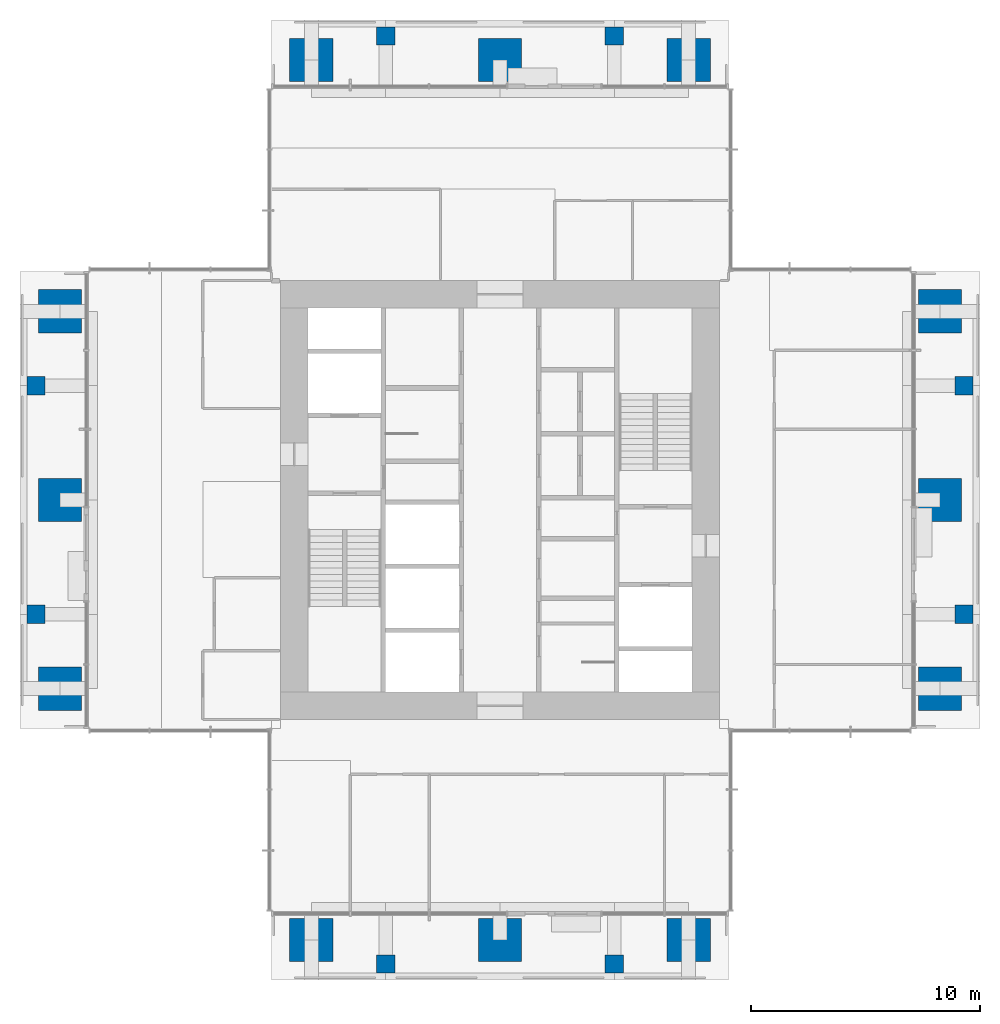
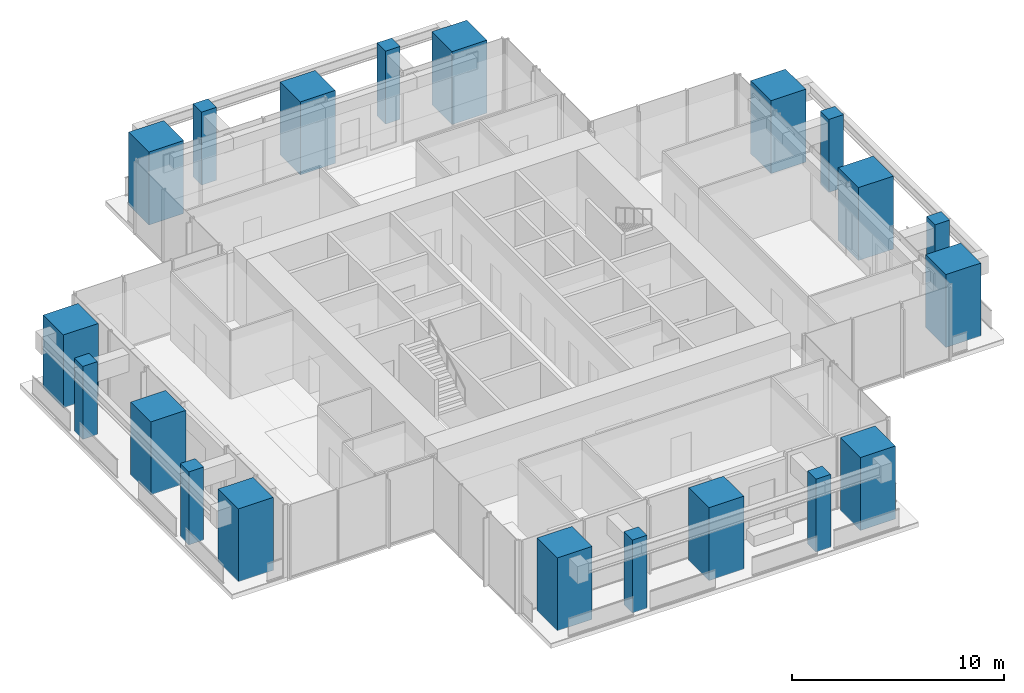
# One storey, part 1 of 12: 20 columns.
"""IFC4 building model written with IfcOpenShell, lengths in metres."""

from ifc_helpers import new_model, si_unit, direction, frame, origin, origin_2d, place, context, subcontext, project, spatial, rectangle, extrude, material, material_profile, profile_set, type_object, element, save


model = new_model("IFC4")

# Units and contexts
model_context = context("Model", 3, precision=1e-05, world=origin(), true_north=direction((0.0, 1.0)))
body_context = subcontext(model_context, "Body", "Model", "MODEL_VIEW")
ifc_project = project(units=[si_unit("LENGTHUNIT", "METRE"), si_unit("AREAUNIT", "SQUARE_METRE"), si_unit("VOLUMEUNIT", "CUBIC_METRE"), si_unit("PLANEANGLEUNIT", "RADIAN"), si_unit("MASSUNIT", "GRAM", prefix="KILO")], contexts=[model_context])

# Site, building, storey
site_placement = place(None, origin())
site = spatial("IfcSite", under=ifc_project, at=site_placement, CompositionType="ELEMENT")
building_placement = place(site_placement, origin())
building = spatial("IfcBuilding", under=site, at=building_placement, Name="Svetlomir Tower", CompositionType="ELEMENT")
storey_placement = place(building_placement, frame((0.0, 0.0, 244.0)))
storey = spatial("IfcBuildingStorey", under=building, at=storey_placement, Name="L58", CompositionType="ELEMENT", Elevation=244.0)

# Columns
ifc_material_1 = material(Name="Concrete C60/75", Category="concrete")
ifc_material_profile_1 = material_profile(ifc_material_1, rectangle(XDim=1.89990234375, YDim=1.89990234375, at=origin_2d()), Name="RC 1900x1900")
ifc_profile_set_1 = profile_set([ifc_material_profile_1], Name="Concrete C60/75")
column_type_1 = type_object("IfcColumnType", Name="COLUMN RC 1900x1900", PredefinedType="COLUMN", material=ifc_profile_set_1)
for number, where, z_axis, x_axis, name in (
    (1, (12.75, 1.75, 0.0), (0.0, 0.0, 1.0), (1.0, 0.0, 0.0), "Column 11/0 L58"),
    (2, (21.0, 1.75, 0.0), (0.0, 0.0, 1.0), (1.0, 0.0, 0.0), "Column 21/0 L58"),
    (3, (29.25, 1.75, 0.0), (0.0, 0.0, 1.0), (1.0, 0.0, 0.0), "Column 31/0 L58"),
    (4, (1.75, 12.75, 0.0), (0.0, 0.0, 1.0), (1.0, 0.0, 0.0), "Column 0/11 L58"),
    (5, (40.25, 12.75, 0.0), (0.0, 0.0, 1.0), (1.0, 0.0, 0.0), "Column 42/11 L58"),
    (6, (1.75, 21.0, 0.0), (0.0, 0.0, 1.0), (1.0, 0.0, 0.0), "Column 0/21 L58"),
    (7, (40.25, 21.0, 0.0), (0.0, 0.0, 1.0), (1.0, 0.0, 0.0), "Column 42/21 L58"),
    (8, (1.75, 29.25, 0.0), (0.0, 0.0, 1.0), (1.0, 0.0, 0.0), "Column 0/31 L58"),
    (9, (40.25, 29.25, 0.0), (0.0, 0.0, 1.0), (1.0, 0.0, 0.0), "Column 42/31 L58"),
    (10, (12.75, 40.25, 0.0), (0.0, 0.0, 1.0), (1.0, 0.0, 0.0), "Column 11/42 L58"),
    (11, (21.0, 40.25, 0.0), (0.0, 0.0, 1.0), (1.0, 0.0, 0.0), "Column 21/42 L58"),
    (12, (29.25, 40.25, 0.0), (0.0, 0.0, 1.0), (1.0, 0.0, 0.0), "Column 31/42 L58"),
):
    element("IfcColumn", number, at=place(storey_placement, frame(where, z_axis=z_axis, x_axis=x_axis)), inside=storey, type_object=column_type_1, Name=name, PredefinedType="COLUMN", context=body_context, shape_type="SweptSolid", body=[
        extrude(rectangle(XDim=1.89990234375, YDim=1.89990234375, at=origin_2d()), origin(), (0.0, 0.0, 1.0), 4.199951171875),
    ])
ifc_material_2 = material(Name="Concrete C60/75", Category="concrete")
ifc_material_profile_2 = material_profile(ifc_material_2, rectangle(XDim=0.800048828125, YDim=0.800048828125, at=origin_2d()), Name="RC 800x800")
ifc_profile_set_2 = profile_set([ifc_material_profile_2], Name="Concrete C60/75")
column_type_2 = type_object("IfcColumnType", Name="COLUMN RC 800x800", PredefinedType="COLUMN", material=ifc_profile_set_2)
for number, where, z_axis, x_axis, name in (
    (13, (16.0, 0.699951171875, 0.0), (0.0, 0.0, 1.0), (1.0, 0.0, 0.0), "Column 16/0 L58"),
    (14, (26.0, 0.699951171875, 0.0), (0.0, 0.0, 1.0), (1.0, 0.0, 0.0), "Column 26/0 L58"),
    (15, (0.699951171875, 16.0, 0.0), (0.0, 0.0, 1.0), (1.0, 0.0, 0.0), "Column 0/16 L58"),
    (16, (41.300048828125, 16.0, 0.0), (0.0, 0.0, 1.0), (1.0, 0.0, 0.0), "Column 42/16 L58"),
    (17, (0.699951171875, 26.0, 0.0), (0.0, 0.0, 1.0), (1.0, 0.0, 0.0), "Column 0/26 L58"),
    (18, (41.300048828125, 26.0, 0.0), (0.0, 0.0, 1.0), (1.0, 0.0, 0.0), "Column 42/26 L58"),
    (19, (16.0, 41.300048828125, 0.0), (0.0, 0.0, 1.0), (1.0, 0.0, 0.0), "Column 16/42 L58"),
    (20, (26.0, 41.300048828125, 0.0), (0.0, 0.0, 1.0), (1.0, 0.0, 0.0), "Column 26/42 L58"),
):
    element("IfcColumn", number, at=place(storey_placement, frame(where, z_axis=z_axis, x_axis=x_axis)), inside=storey, type_object=column_type_2, Name=name, PredefinedType="COLUMN", context=body_context, shape_type="SweptSolid", body=[
        extrude(rectangle(XDim=0.800048828125, YDim=0.800048828125, at=origin_2d()), origin(), (0.0, 0.0, 1.0), 4.199951171875),
    ])

save(model, "model.ifc")
